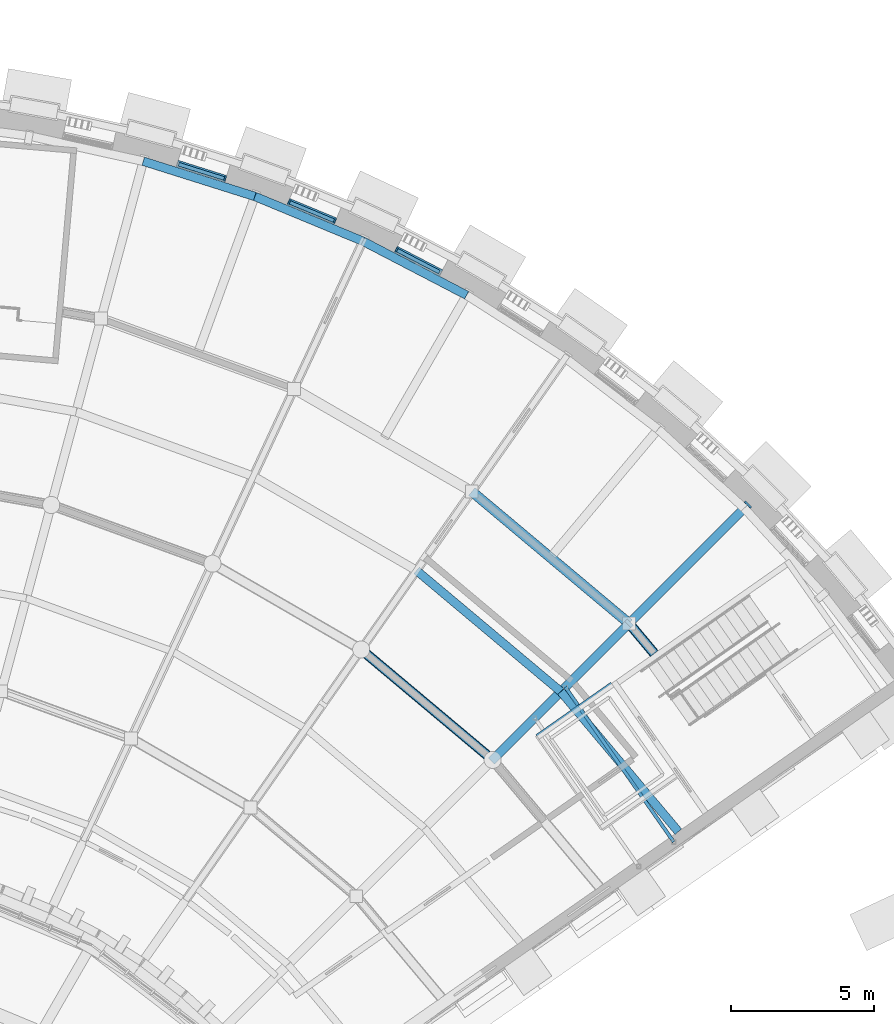
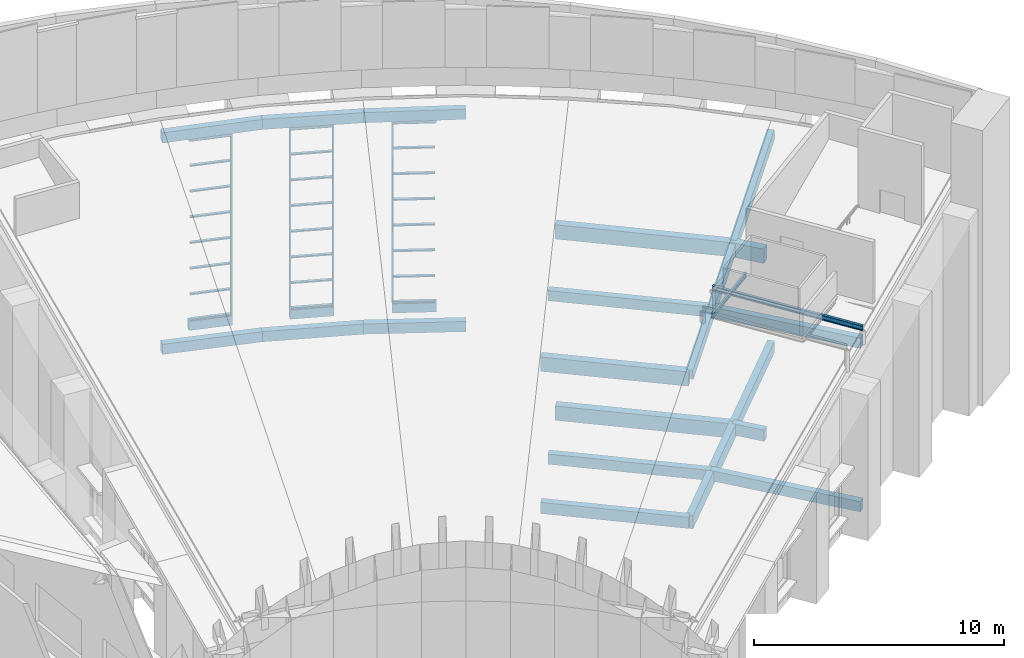
# One storey, part 29 of 82: 28 beams, 28 members, 3 elements without a shape of their own.
"""IFC4 building model written with IfcOpenShell, lengths in metres."""

from ifc_helpers import new_model, si_unit, direction, frame, origin, origin_2d, place, context, subcontext, project, spatial, rectangle, i_section, extrude, material, layer, layer_set, material_profile, profile_set, type_object, element, aggregate, save


model = new_model("IFC4")

# Units and contexts
model_context = context("Model", 3, precision=1e-05, world=origin(), true_north=direction((0.0, 1.0)))
body_context = subcontext(model_context, "Body", "Model", "MODEL_VIEW")
ifc_project = project(units=[si_unit("LENGTHUNIT", "METRE"), si_unit("AREAUNIT", "SQUARE_METRE"), si_unit("VOLUMEUNIT", "CUBIC_METRE"), si_unit("PLANEANGLEUNIT", "RADIAN"), si_unit("MASSUNIT", "GRAM", prefix="KILO")], contexts=[model_context])

# Site, building, storey
site_placement = place(None, origin())
site = spatial("IfcSite", under=ifc_project, at=site_placement, CompositionType="ELEMENT")
building_placement = place(site_placement, origin())
building = spatial("IfcBuilding", under=site, at=building_placement, Name="Volute Hill Aquarium", CompositionType="ELEMENT")
storey_placement = place(building_placement, frame((0.0, 0.0, 13.800048828125)))
storey = spatial("IfcBuildingStorey", under=building, at=storey_placement, Name="L04", CompositionType="ELEMENT", Elevation=13.800048828125)

# Beams
ifc_material_1 = material(Name="Concrete C35/45", Category="concrete")
ifc_material_profile_1 = material_profile(ifc_material_1, rectangle(XDim=0.300048828125, YDim=0.550048828125, at=origin_2d()), Name="RC beam 300x550")
ifc_profile_set_1 = profile_set([ifc_material_profile_1], Name="Concrete C35/45")
beam_type_1 = type_object("IfcBeamType", Name="Beam 300x550 C35/45", PredefinedType="BEAM", material=ifc_profile_set_1)
beam_1_placement = place(storey_placement, frame((29.194580078125, 29.194580078125, -0.56494140625), z_axis=(0.707106781187, 0.707106781187, 0.0), x_axis=(-0.707106781187, 0.707106781187, 0.0)))
element("IfcBeam", 1, at=beam_1_placement, inside=storey, type_object=beam_type_1, Name="bm/S5/L04/rad1.4", PredefinedType="BEAM", context=body_context, shape_type="SweptSolid", body=[
    extrude(rectangle(XDim=0.300048828125, YDim=0.550048828125, at=origin_2d()), origin(), (0.0, 0.0, 1.0), 5.862548828125),
])
beam_2_placement = place(storey_placement, frame((24.412841796875, 24.412841796875, -0.56494140625), z_axis=(-0.766038816654, 0.642794314986, 0.0), x_axis=(-0.642794314986, -0.766038816654, 0.0)))
element("IfcBeam", 2, at=beam_2_placement, inside=storey, type_object=beam_type_1, Name="bm/S5/L04/ring2.23", PredefinedType="BEAM", context=body_context, shape_type="SweptSolid", body=[
    extrude(rectangle(XDim=0.300048828125, YDim=0.550048828125, at=origin_2d()), origin(), (0.0, 0.0, 1.0), 6.01806640625),
])
beam_3_placement = place(storey_placement, frame((30.078369140625, 28.1416015625, -0.56494140625), z_axis=(-0.642887994538, 0.765960199017, 0.0), x_axis=(-0.765960199017, -0.642887994538, 0.0)))
element("IfcBeam", 3, at=beam_3_placement, inside=storey, type_object=beam_type_1, Name="bm/S5/L04/ring3.27", PredefinedType="BEAM", context=body_context, shape_type="SweptSolid", body=[
    extrude(rectangle(XDim=0.300048828125, YDim=0.550048828125, at=origin_2d()), origin(), (0.0, 0.0, 1.0), 1.374755859375),
])
ifc_material_2 = material(Name="Concrete C35/45", Category="concrete")
ifc_material_profile_2 = material_profile(ifc_material_2, rectangle(XDim=0.300048828125, YDim=0.64990234375, at=origin_2d()), Name="RC beam 300x650")
ifc_profile_set_2 = profile_set([ifc_material_profile_2], Name="Concrete C35/45")
beam_type_2 = type_object("IfcBeamType", Name="Beam 300x650 C35/45", PredefinedType="BEAM", material=ifc_profile_set_2)
beam_4_placement = place(storey_placement, frame((24.412841796875, 24.412841796875, -0.614990234375), z_axis=(0.707106781187, 0.707106781187, 0.0), x_axis=(-0.707106781187, 0.707106781187, 0.0)))
element("IfcBeam", 4, at=beam_4_placement, inside=storey, type_object=beam_type_2, Name="bm/S5/L04/rad1.3", PredefinedType="BEAM", context=body_context, shape_type="SweptSolid", body=[
    extrude(rectangle(XDim=0.300048828125, YDim=0.64990234375, at=origin_2d()), origin(), (0.0, 0.0, 1.0), 6.762451171875),
])
ifc_material_3 = material(Name="Concrete C35/45", Category="concrete")
ifc_material_profile_3 = material_profile(ifc_material_3, rectangle(XDim=0.35009765625, YDim=0.699951171875, at=origin_2d()), Name="RC beam 350x700")
ifc_profile_set_3 = profile_set([ifc_material_profile_3], Name="Concrete C35/45")
beam_type_3 = type_object("IfcBeamType", Name="Beam 350x700 C35/45", PredefinedType="BEAM", material=ifc_profile_set_3)
beam_5_placement = place(storey_placement, frame((29.194580078125, 29.194580078125, -0.64013671875), z_axis=(-0.766036890911, 0.64279660995, 0.0), x_axis=(-0.64279660995, -0.766036890911, 0.0)))
element("IfcBeam", 5, at=beam_5_placement, inside=storey, type_object=beam_type_3, Name="bm/S5/L04/ring3.28", PredefinedType="BEAM", context=body_context, shape_type="SweptSolid", body=[
    extrude(rectangle(XDim=0.35009765625, YDim=0.699951171875, at=origin_2d()), origin(), (0.0, 0.0, 1.0), 7.197021484375),
])
beam_6_placement = place(storey_placement, frame((24.412841796875, 24.412841796875, 6.46875), z_axis=(-0.766038816654, 0.642794314986, 0.0), x_axis=(-0.642794314986, -0.766038816654, 0.0)))
element("IfcBeam", 6, at=beam_6_placement, inside=storey, type_object=beam_type_3, Name="rb/S5/L04/ring2.23", PredefinedType="BEAM", context=body_context, shape_type="SweptSolid", body=[
    extrude(rectangle(XDim=0.35009765625, YDim=0.699951171875, at=origin_2d()), origin(), (0.0, 0.0, 1.0), 6.01806640625),
])
beam_7_placement = place(storey_placement, frame((30.078369140625, 28.1416015625, 8.207275390625), z_axis=(-0.642887994538, 0.765960199017, 0.0), x_axis=(-0.765960199017, -0.642887994538, 0.0)))
element("IfcBeam", 7, at=beam_7_placement, inside=storey, type_object=beam_type_3, Name="rb/S5/L04/ring3.27", PredefinedType="BEAM", context=body_context, shape_type="SweptSolid", body=[
    extrude(rectangle(XDim=0.35009765625, YDim=0.699951171875, at=origin_2d()), origin(), (0.0, 0.0, 1.0), 1.374755859375),
])
beam_8_placement = place(storey_placement, frame((29.194580078125, 29.194580078125, 8.207275390625), z_axis=(-0.766036890911, 0.64279660995, 0.0), x_axis=(-0.64279660995, -0.766036890911, 0.0)))
element("IfcBeam", 8, at=beam_8_placement, inside=storey, type_object=beam_type_3, Name="rb/S5/L04/ring3.28", PredefinedType="BEAM", context=body_context, shape_type="SweptSolid", body=[
    extrude(rectangle(XDim=0.35009765625, YDim=0.699951171875, at=origin_2d()), origin(), (0.0, 0.0, 1.0), 7.197021484375),
])

# Curtain wall, member
ifc_material_4 = material(Name="Aluminium", Category="aluminium")
ifc_layer = layer(ifc_material_4, 0.25)
ifc_layer_set = layer_set([ifc_layer], Name="Curtain wall niche S5 module 1786")
curtain_wall_type = type_object("IfcCurtainWallType", Name="Curtain wall niche S5 module 1786", PredefinedType="NOTDEFINED", material=ifc_layer_set)
curtain_wall_1_placement = place(storey_placement, origin())
curtain_wall_1 = element("IfcCurtainWall", 9, at=curtain_wall_1_placement, inside=storey, type_object=curtain_wall_type, Name="Curtain wall CW S5 L04 6", PredefinedType="NOTDEFINED")
ifc_material_5 = material(Name="Aluminium", Category="aluminium")
ifc_material_profile_4 = material_profile(ifc_material_5, rectangle(XDim=0.159912109375, YDim=0.06005859375, at=origin_2d()), Name="Curtain wall mullion S5 60x160")
ifc_profile_set_4 = profile_set([ifc_material_profile_4], Name="Aluminium")
member_type_1 = type_object("IfcMemberType", Name="Curtain wall mullion S5 60x160", PredefinedType="MULLION", material=ifc_profile_set_4)
member_1_placement = place(storey_placement, frame((21.04296875, 42.291748046875, 0.449951171875), z_axis=(0.0, 0.0, 1.0), x_axis=(-0.461755077763, -0.887007467928, 0.0)))
member_1 = element("IfcMember", 10, at=member_1_placement, type_object=member_type_1, Name="CW mullion 2", PredefinedType="MULLION", context=body_context, shape_type="SweptSolid", body=[
    extrude(rectangle(XDim=0.159912109375, YDim=0.06005859375, at=origin_2d()), origin(), (0.0, 0.0, 1.0), 8.77587890625),
])

# Curtain wall, members
curtain_wall_2_placement = place(storey_placement, origin())
curtain_wall_2 = element("IfcCurtainWall", 11, at=curtain_wall_2_placement, inside=storey, type_object=curtain_wall_type, Name="Curtain wall CW S5 L04 7", PredefinedType="NOTDEFINED")
member_2_placement = place(storey_placement, frame((18.87109375, 43.304443359375, 0.449951171875), z_axis=(0.0, 0.0, 1.0), x_axis=(-0.382686313983, -0.923878338901, 0.0)))
member_2 = element("IfcMember", 12, at=member_2_placement, type_object=member_type_1, Name="CW mullion 1", PredefinedType="MULLION", context=body_context, shape_type="SweptSolid", body=[
    extrude(rectangle(XDim=0.159912109375, YDim=0.06005859375, at=origin_2d()), origin(), (0.0, 0.0, 1.0), 8.77587890625),
])
member_3_placement = place(storey_placement, frame((17.27685546875, 43.96484375, 0.449951171875), z_axis=(0.0, 0.0, 1.0), x_axis=(-0.382686313983, -0.923878338901, 0.0)))
member_3 = element("IfcMember", 13, at=member_3_placement, type_object=member_type_1, Name="CW mullion 2", PredefinedType="MULLION", context=body_context, shape_type="SweptSolid", body=[
    extrude(rectangle(XDim=0.159912109375, YDim=0.06005859375, at=origin_2d()), origin(), (0.0, 0.0, 1.0), 8.77587890625),
])

# Curtain wall, member
curtain_wall_3_placement = place(storey_placement, origin())
curtain_wall_3 = element("IfcCurtainWall", 14, at=curtain_wall_3_placement, inside=storey, type_object=curtain_wall_type, Name="Curtain wall CW S5 L04 8", PredefinedType="NOTDEFINED")
member_4_placement = place(storey_placement, frame((15.025146484375, 44.784423828125, 0.449951171875), z_axis=(0.0, 0.0, 1.0), x_axis=(-0.300703569139, -0.953717653977, 0.0)))
member_4 = element("IfcMember", 15, at=member_4_placement, type_object=member_type_1, Name="CW mullion 1", PredefinedType="MULLION", context=body_context, shape_type="SweptSolid", body=[
    extrude(rectangle(XDim=0.159912109375, YDim=0.06005859375, at=origin_2d()), origin(), (0.0, 0.0, 1.0), 8.77587890625),
])

# Member
ifc_material_6 = material(Name="Aluminium", Category="aluminium")
ifc_material_profile_5 = material_profile(ifc_material_6, rectangle(XDim=0.1298828125, YDim=0.06005859375, at=origin_2d()), Name="Curtain wall transom S5 60x130")
ifc_profile_set_5 = profile_set([ifc_material_profile_5], Name="Aluminium")
member_type_2 = type_object("IfcMemberType", Name="Curtain wall transom S5 60x130", PredefinedType="USERDEFINED", material=ifc_profile_set_5)
member_5_placement = place(storey_placement, frame((22.546875, 41.5087890625, 0.47998046875), z_axis=(-0.887007904622, 0.461754238896, 0.0), x_axis=(-0.461754238896, -0.887007904622, 0.0)))
member_5 = element("IfcMember", 16, at=member_5_placement, type_object=member_type_2, Name="CW transom 1.1", ObjectType="TRANSOM", PredefinedType="USERDEFINED", context=body_context, shape_type="SweptSolid", body=[
    extrude(rectangle(XDim=0.1298828125, YDim=0.06005859375, at=origin_2d()), origin(), (0.0, 0.0, 1.0), 1.66552734375),
])

member_6_placement = place(storey_placement, frame((22.546875, 41.5087890625, 1.70361328125), z_axis=(-0.887007904622, 0.461754238896, 0.0), x_axis=(-0.461754238896, -0.887007904622, 0.0)))
member_6 = element("IfcMember", 17, at=member_6_placement, type_object=member_type_2, Name="CW transom 1.2", ObjectType="TRANSOM", PredefinedType="USERDEFINED", context=body_context, shape_type="SweptSolid", body=[
    extrude(rectangle(XDim=0.1298828125, YDim=0.06005859375, at=origin_2d()), origin(), (0.0, 0.0, 1.0), 1.66552734375),
])

member_7_placement = place(storey_placement, frame((22.546875, 41.5087890625, 2.957275390625), z_axis=(-0.887007904622, 0.461754238896, 0.0), x_axis=(-0.461754238896, -0.887007904622, 0.0)))
member_7 = element("IfcMember", 18, at=member_7_placement, type_object=member_type_2, Name="CW transom 1.3", ObjectType="TRANSOM", PredefinedType="USERDEFINED", context=body_context, shape_type="SweptSolid", body=[
    extrude(rectangle(XDim=0.1298828125, YDim=0.06005859375, at=origin_2d()), origin(), (0.0, 0.0, 1.0), 1.66552734375),
])

member_8_placement = place(storey_placement, frame((22.546875, 41.5087890625, 4.2109375), z_axis=(-0.887007904622, 0.461754238896, 0.0), x_axis=(-0.461754238896, -0.887007904622, 0.0)))
member_8 = element("IfcMember", 19, at=member_8_placement, type_object=member_type_2, Name="CW transom 1.4", ObjectType="TRANSOM", PredefinedType="USERDEFINED", context=body_context, shape_type="SweptSolid", body=[
    extrude(rectangle(XDim=0.1298828125, YDim=0.06005859375, at=origin_2d()), origin(), (0.0, 0.0, 1.0), 1.66552734375),
])

member_9_placement = place(storey_placement, frame((22.546875, 41.5087890625, 5.46484375), z_axis=(-0.887007904622, 0.461754238896, 0.0), x_axis=(-0.461754238896, -0.887007904622, 0.0)))
member_9 = element("IfcMember", 20, at=member_9_placement, type_object=member_type_2, Name="CW transom 1.5", ObjectType="TRANSOM", PredefinedType="USERDEFINED", context=body_context, shape_type="SweptSolid", body=[
    extrude(rectangle(XDim=0.1298828125, YDim=0.06005859375, at=origin_2d()), origin(), (0.0, 0.0, 1.0), 1.66552734375),
])

member_10_placement = place(storey_placement, frame((22.546875, 41.5087890625, 6.718505859375), z_axis=(-0.887007904622, 0.461754238896, 0.0), x_axis=(-0.461754238896, -0.887007904622, 0.0)))
member_10 = element("IfcMember", 21, at=member_10_placement, type_object=member_type_2, Name="CW transom 1.6", ObjectType="TRANSOM", PredefinedType="USERDEFINED", context=body_context, shape_type="SweptSolid", body=[
    extrude(rectangle(XDim=0.1298828125, YDim=0.06005859375, at=origin_2d()), origin(), (0.0, 0.0, 1.0), 1.66552734375),
])

member_11_placement = place(storey_placement, frame((22.546875, 41.5087890625, 7.97216796875), z_axis=(-0.887007904622, 0.461754238896, 0.0), x_axis=(-0.461754238896, -0.887007904622, 0.0)))
member_11 = element("IfcMember", 22, at=member_11_placement, type_object=member_type_2, Name="CW transom 1.7", ObjectType="TRANSOM", PredefinedType="USERDEFINED", context=body_context, shape_type="SweptSolid", body=[
    extrude(rectangle(XDim=0.1298828125, YDim=0.06005859375, at=origin_2d()), origin(), (0.0, 0.0, 1.0), 1.66552734375),
])

member_12_placement = place(storey_placement, frame((22.546875, 41.5087890625, 9.19580078125), z_axis=(-0.887007904622, 0.461754238896, 0.0), x_axis=(-0.461754238896, -0.887007904622, 0.0)))
member_12 = element("IfcMember", 23, at=member_12_placement, type_object=member_type_2, Name="CW transom 1.8", ObjectType="TRANSOM", PredefinedType="USERDEFINED", context=body_context, shape_type="SweptSolid", body=[
    extrude(rectangle(XDim=0.1298828125, YDim=0.06005859375, at=origin_2d()), origin(), (0.0, 0.0, 1.0), 1.66552734375),
])

aggregate(curtain_wall_1, [member_1, member_5, member_6, member_7, member_8, member_9, member_10, member_11, member_12])

member_13_placement = place(storey_placement, frame((18.843505859375, 43.31591796875, 0.47998046875), z_axis=(-0.923868550107, 0.382709945158, 0.0), x_axis=(-0.382709945158, -0.923868550107, 0.0)))
member_13 = element("IfcMember", 24, at=member_13_placement, type_object=member_type_2, Name="CW transom 1.1", ObjectType="TRANSOM", PredefinedType="USERDEFINED", context=body_context, shape_type="SweptSolid", body=[
    extrude(rectangle(XDim=0.1298828125, YDim=0.06005859375, at=origin_2d()), origin(), (0.0, 0.0, 1.0), 1.66552734375),
])

member_14_placement = place(storey_placement, frame((18.843505859375, 43.31591796875, 1.70361328125), z_axis=(-0.923868550107, 0.382709945158, 0.0), x_axis=(-0.382709945158, -0.923868550107, 0.0)))
member_14 = element("IfcMember", 25, at=member_14_placement, type_object=member_type_2, Name="CW transom 1.2", ObjectType="TRANSOM", PredefinedType="USERDEFINED", context=body_context, shape_type="SweptSolid", body=[
    extrude(rectangle(XDim=0.1298828125, YDim=0.06005859375, at=origin_2d()), origin(), (0.0, 0.0, 1.0), 1.66552734375),
])

member_15_placement = place(storey_placement, frame((18.843505859375, 43.31591796875, 2.957275390625), z_axis=(-0.923868550107, 0.382709945158, 0.0), x_axis=(-0.382709945158, -0.923868550107, 0.0)))
member_15 = element("IfcMember", 26, at=member_15_placement, type_object=member_type_2, Name="CW transom 1.3", ObjectType="TRANSOM", PredefinedType="USERDEFINED", context=body_context, shape_type="SweptSolid", body=[
    extrude(rectangle(XDim=0.1298828125, YDim=0.06005859375, at=origin_2d()), origin(), (0.0, 0.0, 1.0), 1.66552734375),
])

member_16_placement = place(storey_placement, frame((18.843505859375, 43.31591796875, 4.2109375), z_axis=(-0.923868550107, 0.382709945158, 0.0), x_axis=(-0.382709945158, -0.923868550107, 0.0)))
member_16 = element("IfcMember", 27, at=member_16_placement, type_object=member_type_2, Name="CW transom 1.4", ObjectType="TRANSOM", PredefinedType="USERDEFINED", context=body_context, shape_type="SweptSolid", body=[
    extrude(rectangle(XDim=0.1298828125, YDim=0.06005859375, at=origin_2d()), origin(), (0.0, 0.0, 1.0), 1.66552734375),
])

member_17_placement = place(storey_placement, frame((18.843505859375, 43.31591796875, 5.46484375), z_axis=(-0.923868550107, 0.382709945158, 0.0), x_axis=(-0.382709945158, -0.923868550107, 0.0)))
member_17 = element("IfcMember", 28, at=member_17_placement, type_object=member_type_2, Name="CW transom 1.5", ObjectType="TRANSOM", PredefinedType="USERDEFINED", context=body_context, shape_type="SweptSolid", body=[
    extrude(rectangle(XDim=0.1298828125, YDim=0.06005859375, at=origin_2d()), origin(), (0.0, 0.0, 1.0), 1.66552734375),
])

member_18_placement = place(storey_placement, frame((18.843505859375, 43.31591796875, 6.718505859375), z_axis=(-0.923868550107, 0.382709945158, 0.0), x_axis=(-0.382709945158, -0.923868550107, 0.0)))
member_18 = element("IfcMember", 29, at=member_18_placement, type_object=member_type_2, Name="CW transom 1.6", ObjectType="TRANSOM", PredefinedType="USERDEFINED", context=body_context, shape_type="SweptSolid", body=[
    extrude(rectangle(XDim=0.1298828125, YDim=0.06005859375, at=origin_2d()), origin(), (0.0, 0.0, 1.0), 1.66552734375),
])

member_19_placement = place(storey_placement, frame((18.843505859375, 43.31591796875, 7.97216796875), z_axis=(-0.923868550107, 0.382709945158, 0.0), x_axis=(-0.382709945158, -0.923868550107, 0.0)))
member_19 = element("IfcMember", 30, at=member_19_placement, type_object=member_type_2, Name="CW transom 1.7", ObjectType="TRANSOM", PredefinedType="USERDEFINED", context=body_context, shape_type="SweptSolid", body=[
    extrude(rectangle(XDim=0.1298828125, YDim=0.06005859375, at=origin_2d()), origin(), (0.0, 0.0, 1.0), 1.66552734375),
])

member_20_placement = place(storey_placement, frame((18.843505859375, 43.31591796875, 9.19580078125), z_axis=(-0.923868550107, 0.382709945158, 0.0), x_axis=(-0.382709945158, -0.923868550107, 0.0)))
member_20 = element("IfcMember", 31, at=member_20_placement, type_object=member_type_2, Name="CW transom 1.8", ObjectType="TRANSOM", PredefinedType="USERDEFINED", context=body_context, shape_type="SweptSolid", body=[
    extrude(rectangle(XDim=0.1298828125, YDim=0.06005859375, at=origin_2d()), origin(), (0.0, 0.0, 1.0), 1.66552734375),
])

aggregate(curtain_wall_2, [member_2, member_3, member_13, member_14, member_15, member_16, member_17, member_18, member_19, member_20])

member_21_placement = place(storey_placement, frame((14.99658203125, 44.79345703125, 0.47998046875), z_axis=(-0.953744236838, 0.30061924539, 0.0), x_axis=(-0.30061924539, -0.953744236838, 0.0)))
member_21 = element("IfcMember", 32, at=member_21_placement, type_object=member_type_2, Name="CW transom 1.1", ObjectType="TRANSOM", PredefinedType="USERDEFINED", context=body_context, shape_type="SweptSolid", body=[
    extrude(rectangle(XDim=0.1298828125, YDim=0.06005859375, at=origin_2d()), origin(), (0.0, 0.0, 1.0), 1.665771484375),
])

member_22_placement = place(storey_placement, frame((14.99658203125, 44.79345703125, 1.70361328125), z_axis=(-0.953744236838, 0.30061924539, 0.0), x_axis=(-0.30061924539, -0.953744236838, 0.0)))
member_22 = element("IfcMember", 33, at=member_22_placement, type_object=member_type_2, Name="CW transom 1.2", ObjectType="TRANSOM", PredefinedType="USERDEFINED", context=body_context, shape_type="SweptSolid", body=[
    extrude(rectangle(XDim=0.1298828125, YDim=0.06005859375, at=origin_2d()), origin(), (0.0, 0.0, 1.0), 1.665771484375),
])

member_23_placement = place(storey_placement, frame((14.99658203125, 44.79345703125, 2.957275390625), z_axis=(-0.953744236838, 0.30061924539, 0.0), x_axis=(-0.30061924539, -0.953744236838, 0.0)))
member_23 = element("IfcMember", 34, at=member_23_placement, type_object=member_type_2, Name="CW transom 1.3", ObjectType="TRANSOM", PredefinedType="USERDEFINED", context=body_context, shape_type="SweptSolid", body=[
    extrude(rectangle(XDim=0.1298828125, YDim=0.06005859375, at=origin_2d()), origin(), (0.0, 0.0, 1.0), 1.665771484375),
])

member_24_placement = place(storey_placement, frame((14.99658203125, 44.79345703125, 4.2109375), z_axis=(-0.953744236838, 0.30061924539, 0.0), x_axis=(-0.30061924539, -0.953744236838, 0.0)))
member_24 = element("IfcMember", 35, at=member_24_placement, type_object=member_type_2, Name="CW transom 1.4", ObjectType="TRANSOM", PredefinedType="USERDEFINED", context=body_context, shape_type="SweptSolid", body=[
    extrude(rectangle(XDim=0.1298828125, YDim=0.06005859375, at=origin_2d()), origin(), (0.0, 0.0, 1.0), 1.665771484375),
])

member_25_placement = place(storey_placement, frame((14.99658203125, 44.79345703125, 5.46484375), z_axis=(-0.953744236838, 0.30061924539, 0.0), x_axis=(-0.30061924539, -0.953744236838, 0.0)))
member_25 = element("IfcMember", 36, at=member_25_placement, type_object=member_type_2, Name="CW transom 1.5", ObjectType="TRANSOM", PredefinedType="USERDEFINED", context=body_context, shape_type="SweptSolid", body=[
    extrude(rectangle(XDim=0.1298828125, YDim=0.06005859375, at=origin_2d()), origin(), (0.0, 0.0, 1.0), 1.665771484375),
])

member_26_placement = place(storey_placement, frame((14.99658203125, 44.79345703125, 6.718505859375), z_axis=(-0.953744236838, 0.30061924539, 0.0), x_axis=(-0.30061924539, -0.953744236838, 0.0)))
member_26 = element("IfcMember", 37, at=member_26_placement, type_object=member_type_2, Name="CW transom 1.6", ObjectType="TRANSOM", PredefinedType="USERDEFINED", context=body_context, shape_type="SweptSolid", body=[
    extrude(rectangle(XDim=0.1298828125, YDim=0.06005859375, at=origin_2d()), origin(), (0.0, 0.0, 1.0), 1.665771484375),
])

member_27_placement = place(storey_placement, frame((14.99658203125, 44.79345703125, 7.97216796875), z_axis=(-0.953744236838, 0.30061924539, 0.0), x_axis=(-0.30061924539, -0.953744236838, 0.0)))
member_27 = element("IfcMember", 38, at=member_27_placement, type_object=member_type_2, Name="CW transom 1.7", ObjectType="TRANSOM", PredefinedType="USERDEFINED", context=body_context, shape_type="SweptSolid", body=[
    extrude(rectangle(XDim=0.1298828125, YDim=0.06005859375, at=origin_2d()), origin(), (0.0, 0.0, 1.0), 1.665771484375),
])

member_28_placement = place(storey_placement, frame((14.99658203125, 44.79345703125, 9.19580078125), z_axis=(-0.953744236838, 0.30061924539, 0.0), x_axis=(-0.30061924539, -0.953744236838, 0.0)))
member_28 = element("IfcMember", 39, at=member_28_placement, type_object=member_type_2, Name="CW transom 1.8", ObjectType="TRANSOM", PredefinedType="USERDEFINED", context=body_context, shape_type="SweptSolid", body=[
    extrude(rectangle(XDim=0.1298828125, YDim=0.06005859375, at=origin_2d()), origin(), (0.0, 0.0, 1.0), 1.665771484375),
])

aggregate(curtain_wall_3, [member_4, member_21, member_22, member_23, member_24, member_25, member_26, member_27, member_28])

# Beams
ifc_material_7 = material(Name="Concrete C35/45", Category="concrete")
ifc_material_profile_6 = material_profile(ifc_material_7, rectangle(XDim=0.300048828125, YDim=0.5, at=origin_2d()), Name="RC edge beam 300x500")
ifc_profile_set_6 = profile_set([ifc_material_profile_6], Name="Concrete C35/45")
beam_type_4 = type_object("IfcBeamType", Name="Edge beam 300x500 C35/45", PredefinedType="BEAM", material=ifc_profile_set_6)
for number, where, z_axis, x_axis, name in (
    (40, (23.5, 40.703125, -0.5400390625), (-0.887032472898, 0.461707041341, 0.0), (-0.461707041341, -0.887032472898, 0.0), "bm/S5/L04/edgeO.47"),
    (41, (19.863037109375, 42.59619140625, -0.5400390625), (-0.923878219582, 0.38268660204, 0.0), (-0.38268660204, -0.923878219582, 0.0), "bm/S5/L04/edgeO.48"),
):
    element("IfcBeam", number, at=place(storey_placement, frame(where, z_axis=z_axis, x_axis=x_axis)), inside=storey, type_object=beam_type_4, Name=name, PredefinedType="BEAM", context=body_context, shape_type="SweptSolid", body=[
        extrude(rectangle(XDim=0.300048828125, YDim=0.5, at=origin_2d()), origin(), (0.0, 0.0, 1.0), 4.10009765625),
    ])
for number, where, z_axis, x_axis, name in (
    (42, (16.074951171875, 44.165283203125, -0.5400390625), (-0.953702276001, 0.300752337896, 0.0), (-0.300752337896, -0.953702276001, 0.0), "bm/S5/L04/edgeO.49"),
    (43, (23.5, 40.703125, 9.822021484375), (-0.886976306926, 0.461677806532, -0.011253173257), (-0.461707041341, -0.887032472898, 0.0), "rb/S5/L04/edgeO.47"),
    (44, (19.863037109375, 42.59619140625, 9.77587890625), (-0.923819722123, 0.382662371364, 0.011253024457), (-0.38268660204, -0.923878219582, 0.0), "rb/S5/L04/edgeO.48"),
):
    element("IfcBeam", number, at=place(storey_placement, frame(where, z_axis=z_axis, x_axis=x_axis)), inside=storey, type_object=beam_type_4, Name=name, PredefinedType="BEAM", context=body_context, shape_type="SweptSolid", body=[
        extrude(rectangle(XDim=0.300048828125, YDim=0.5, at=origin_2d()), origin(), (0.0, 0.0, 1.0), 4.100341796875),
    ])
beam_9_placement = place(storey_placement, frame((16.074951171875, 44.165283203125, 9.822021484375), z_axis=(-0.953641891085, 0.300733295365, -0.011252938591), x_axis=(-0.300752337896, -0.953702276001, 0.0)))
element("IfcBeam", 45, at=beam_9_placement, inside=storey, type_object=beam_type_4, Name="rb/S5/L04/edgeO.49", PredefinedType="BEAM", context=body_context, shape_type="SweptSolid", body=[
    extrude(rectangle(XDim=0.300048828125, YDim=0.5, at=origin_2d()), origin(), (0.0, 0.0, 1.0), 4.1005859375),
])
ifc_material_8 = material(Name="Concrete C35/45", Category="concrete")
ifc_material_profile_7 = material_profile(ifc_material_8, rectangle(XDim=0.300048828125, YDim=0.5, at=origin_2d()), Name="RC joist 300x500")
ifc_profile_set_7 = profile_set([ifc_material_profile_7], Name="Concrete C35/45")
beam_type_5 = type_object("IfcBeamType", Name="Joist 300x500 C35/45", PredefinedType="BEAM", material=ifc_profile_set_7)
beam_10_placement = place(storey_placement, frame((30.921875, 21.89599609375, -0.5400390625), z_axis=(-0.642796984266, 0.766036576815, 0.0), x_axis=(-0.766036576815, -0.642796984266, 0.0)))
element("IfcBeam", 46, at=beam_10_placement, inside=storey, type_object=beam_type_5, Name="bm/S5/L04/jst11", PredefinedType="BEAM", context=body_context, shape_type="SweptSolid", body=[
    extrude(rectangle(XDim=0.300048828125, YDim=0.5, at=origin_2d()), origin(), (0.0, 0.0, 1.0), 6.40673828125),
])
beam_11_placement = place(storey_placement, frame((26.8037109375, 26.8037109375, -0.5400390625), z_axis=(-0.766030134391, 0.642804661779, 0.0), x_axis=(-0.642804661779, -0.766030134391, 0.0)))
element("IfcBeam", 47, at=beam_11_placement, inside=storey, type_object=beam_type_5, Name="bm/S5/L04/jst12", PredefinedType="BEAM", context=body_context, shape_type="SweptSolid", body=[
    extrude(rectangle(XDim=0.300048828125, YDim=0.5, at=origin_2d()), origin(), (0.0, 0.0, 1.0), 6.607421875),
])
beam_12_placement = place(storey_placement, frame((30.921875, 21.89599609375, 7.43798828125), z_axis=(-0.642796984266, 0.766036576815, 0.0), x_axis=(-0.766036576815, -0.642796984266, 0.0)))
element("IfcBeam", 48, at=beam_12_placement, inside=storey, type_object=beam_type_5, Name="rb/S5/L04/jst11", PredefinedType="BEAM", context=body_context, shape_type="SweptSolid", body=[
    extrude(rectangle(XDim=0.300048828125, YDim=0.5, at=origin_2d()), origin(), (0.0, 0.0, 1.0), 6.40673828125),
])
beam_13_placement = place(storey_placement, frame((26.8037109375, 26.8037109375, 7.43798828125), z_axis=(-0.766030134391, 0.642804661779, 0.0), x_axis=(-0.642804661779, -0.766030134391, 0.0)))
element("IfcBeam", 49, at=beam_13_placement, inside=storey, type_object=beam_type_5, Name="rb/S5/L04/jst12", PredefinedType="BEAM", context=body_context, shape_type="SweptSolid", body=[
    extrude(rectangle(XDim=0.300048828125, YDim=0.5, at=origin_2d()), origin(), (0.0, 0.0, 1.0), 6.607421875),
])
ifc_material_9 = material(Name="Concrete C35/45", Category="concrete")
ifc_material_profile_8 = material_profile(ifc_material_9, rectangle(XDim=0.25, YDim=0.300048828125, at=origin_2d()), Name="RC beam 250x300")
ifc_profile_set_8 = profile_set([ifc_material_profile_8], Name="Concrete C35/45")
beam_type_6 = type_object("IfcBeamType", Name="Niche head beam RC 250x300 C35/45", PredefinedType="BEAM", material=ifc_profile_set_8)
beam_14_placement = place(storey_placement, frame((22.60009765625, 41.48095703125, 9.375732421875), z_axis=(-0.887006266415, 0.4617573858, 0.0), x_axis=(-0.4617573858, -0.887006266415, 0.0)))
element("IfcBeam", 50, at=beam_14_placement, inside=storey, type_object=beam_type_6, Name="Niche head beam OWB S5 L04 6", PredefinedType="BEAM", context=body_context, shape_type="SweptSolid", body=[
    extrude(rectangle(XDim=0.25, YDim=0.300048828125, at=origin_2d()), origin(), (0.0, 0.0, 1.0), 1.785400390625),
])
beam_15_placement = place(storey_placement, frame((18.89892578125, 43.29296875, 9.375732421875), z_axis=(-0.923891869651, 0.382653646516, 0.0), x_axis=(-0.382653646516, -0.923891869651, 0.0)))
element("IfcBeam", 51, at=beam_15_placement, inside=storey, type_object=beam_type_6, Name="Niche head beam OWB S5 L04 7", PredefinedType="BEAM", context=body_context, shape_type="SweptSolid", body=[
    extrude(rectangle(XDim=0.25, YDim=0.300048828125, at=origin_2d()), origin(), (0.0, 0.0, 1.0), 1.785888671875),
])
beam_16_placement = place(storey_placement, frame((15.0537109375, 44.775390625, 9.375732421875), z_axis=(-0.95372514816, 0.300679799399, 0.0), x_axis=(-0.300679799399, -0.95372514816, 0.0)))
element("IfcBeam", 52, at=beam_16_placement, inside=storey, type_object=beam_type_6, Name="Niche head beam OWB S5 L04 8", PredefinedType="BEAM", context=body_context, shape_type="SweptSolid", body=[
    extrude(rectangle(XDim=0.25, YDim=0.300048828125, at=origin_2d()), origin(), (0.0, 0.0, 1.0), 1.785400390625),
])
ifc_material_10 = material(Name="Concrete C35/45", Category="concrete")
ifc_material_profile_9 = material_profile(ifc_material_10, rectangle(XDim=0.25, YDim=0.449951171875, at=origin_2d()), Name="RC beam 250x450")
ifc_profile_set_9 = profile_set([ifc_material_profile_9], Name="Concrete C35/45")
beam_type_7 = type_object("IfcBeamType", Name="Niche sill beam RC 250x450 C35/45", PredefinedType="BEAM", material=ifc_profile_set_9)
beam_17_placement = place(storey_placement, frame((22.60009765625, 41.48095703125, 0.224853515625), z_axis=(-0.887006266415, 0.4617573858, 0.0), x_axis=(-0.4617573858, -0.887006266415, 0.0)))
element("IfcBeam", 53, at=beam_17_placement, inside=storey, type_object=beam_type_7, Name="Niche sill beam OWB S5 L04 6", PredefinedType="BEAM", context=body_context, shape_type="SweptSolid", body=[
    extrude(rectangle(XDim=0.25, YDim=0.449951171875, at=origin_2d()), origin(), (0.0, 0.0, 1.0), 1.785400390625),
])
beam_18_placement = place(storey_placement, frame((18.89892578125, 43.29296875, 0.224853515625), z_axis=(-0.923891869651, 0.382653646516, 0.0), x_axis=(-0.382653646516, -0.923891869651, 0.0)))
element("IfcBeam", 54, at=beam_18_placement, inside=storey, type_object=beam_type_7, Name="Niche sill beam OWB S5 L04 7", PredefinedType="BEAM", context=body_context, shape_type="SweptSolid", body=[
    extrude(rectangle(XDim=0.25, YDim=0.449951171875, at=origin_2d()), origin(), (0.0, 0.0, 1.0), 1.785888671875),
])
beam_19_placement = place(storey_placement, frame((15.0537109375, 44.775390625, 0.224853515625), z_axis=(-0.95372514816, 0.300679799399, 0.0), x_axis=(-0.300679799399, -0.95372514816, 0.0)))
element("IfcBeam", 55, at=beam_19_placement, inside=storey, type_object=beam_type_7, Name="Niche sill beam OWB S5 L04 8", PredefinedType="BEAM", context=body_context, shape_type="SweptSolid", body=[
    extrude(rectangle(XDim=0.25, YDim=0.449951171875, at=origin_2d()), origin(), (0.0, 0.0, 1.0), 1.785400390625),
])
ifc_material_11 = material(Name="Steel S355", Category="steel")
ifc_material_profile_10 = material_profile(ifc_material_11, i_section(OverallWidth=0.1201171875, OverallDepth=0.239990234375, WebThickness=0.006103515625, FlangeThickness=0.009765625, FilletRadius=0.014892578125, at=origin_2d()), Name="IPE 240")
ifc_profile_set_10 = profile_set([ifc_material_profile_10], Name="Steel S355")
beam_type_8 = type_object("IfcBeamType", Name="Plant platform beam IPE 240 S355", PredefinedType="BEAM", material=ifc_profile_set_10)
beam_20_placement = place(storey_placement, frame((30.75927734375, 21.537841796875, 8.3798828125), z_axis=(-0.573598445326, 0.819136632998, 0.0), x_axis=(-0.819136632998, -0.573598445326, 0.0)))
element("IfcBeam", 56, at=beam_20_placement, inside=storey, type_object=beam_type_8, Name="pf/S5/L04/beam2", PredefinedType="BEAM", context=body_context, shape_type="SweptSolid", body=[
    extrude(i_section(OverallWidth=0.1201171875, OverallDepth=0.239990234375, WebThickness=0.006103515625, FlangeThickness=0.009765625, FilletRadius=0.014892578125, at=origin_2d()), origin(), (0.0, 0.0, 1.0), 6.62109375),
])
ifc_material_12 = material(Name="Steel S355", Category="steel")
ifc_material_profile_11 = material_profile(ifc_material_12, i_section(OverallWidth=0.10009765625, OverallDepth=0.199951171875, WebThickness=0.005615234375, FlangeThickness=0.008544921875, FilletRadius=0.011962890625, at=origin_2d()), Name="IPE 200")
ifc_profile_set_11 = profile_set([ifc_material_profile_11], Name="Steel S355")
beam_type_9 = type_object("IfcBeamType", Name="Plant platform edge beam IPE 200 S355", PredefinedType="BEAM", material=ifc_profile_set_11)
beam_21_placement = place(storey_placement, frame((25.9580078125, 25.25634765625, 8.39990234375), z_axis=(0.819131543282, 0.57360571371, 0.0), x_axis=(-0.57360571371, 0.819131543282, 0.0)))
element("IfcBeam", 57, at=beam_21_placement, inside=storey, type_object=beam_type_9, Name="pf/S5/L04/edge2", PredefinedType="BEAM", context=body_context, shape_type="SweptSolid", body=[
    extrude(i_section(OverallWidth=0.10009765625, OverallDepth=0.199951171875, WebThickness=0.005615234375, FlangeThickness=0.008544921875, FilletRadius=0.011962890625, at=origin_2d()), origin(), (0.0, 0.0, 1.0), 3.199951171875),
])
ifc_material_13 = material(Name="Concrete C35/45", Category="concrete")
ifc_material_profile_12 = material_profile(ifc_material_13, rectangle(XDim=0.300048828125, YDim=0.5, at=origin_2d()), Name="RC rib 300x500")
ifc_profile_set_12 = profile_set([ifc_material_profile_12], Name="Concrete C35/45")
beam_type_10 = type_object("IfcBeamType", Name="Roof rib 300x500 C35/45", PredefinedType="BEAM", material=ifc_profile_set_12)
beam_22_placement = place(storey_placement, frame((24.412841796875, 24.412841796875, 6.560546875), z_axis=(0.684831171185, 0.684831171185, 0.24902315946), x_axis=(-0.707106781187, 0.707106781187, 0.0)))
element("IfcBeam", 58, at=beam_22_placement, inside=storey, type_object=beam_type_10, Name="rb/S5/L04/rib1.3", PredefinedType="BEAM", context=body_context, shape_type="SweptSolid", body=[
    extrude(rectangle(XDim=0.300048828125, YDim=0.5, at=origin_2d()), origin(), (0.0, 0.0, 1.0), 6.982421875),
])
beam_23_placement = place(storey_placement, frame((29.194580078125, 29.194580078125, 8.29931640625), z_axis=(0.684840715945, 0.684840715945, 0.248970656038), x_axis=(-0.707106781187, 0.707106781187, 0.0)))
element("IfcBeam", 59, at=beam_23_placement, inside=storey, type_object=beam_type_10, Name="rb/S5/L04/rib1.4", PredefinedType="BEAM", context=body_context, shape_type="SweptSolid", body=[
    extrude(rectangle(XDim=0.300048828125, YDim=0.5, at=origin_2d()), origin(), (0.0, 0.0, 1.0), 6.05322265625),
])

save(model, "model.ifc")
